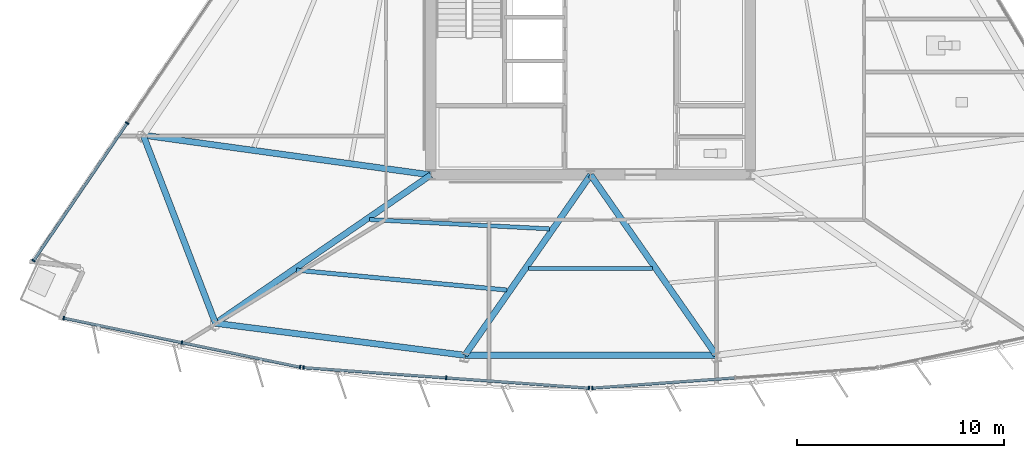
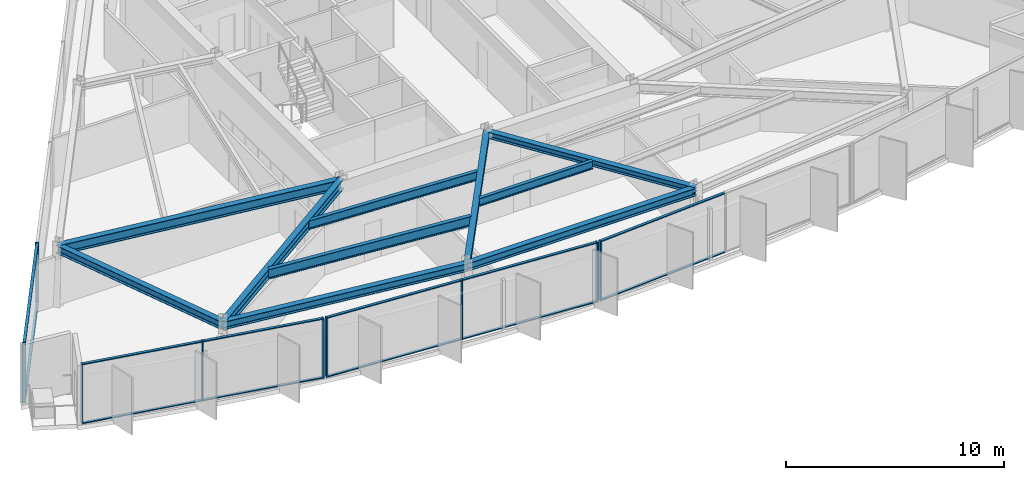
# One storey, part 2 of 15: 21 members, 10 beams, 4 elements without a shape of their own.
"""IFC4 building model written with IfcOpenShell, lengths in metres."""

from ifc_helpers import new_model, si_unit, direction, frame, origin, origin_2d, place, context, subcontext, project, spatial, rectangle, i_section, extrude, material, material_profile, profile_set, type_object, element, aggregate, save


model = new_model("IFC4")

# Units and contexts
model_context = context("Model", 3, precision=1e-05, world=origin(), true_north=direction((0.0, 1.0)))
body_context = subcontext(model_context, "Body", "Model", "MODEL_VIEW")
ifc_project = project(units=[si_unit("LENGTHUNIT", "METRE"), si_unit("AREAUNIT", "SQUARE_METRE"), si_unit("VOLUMEUNIT", "CUBIC_METRE"), si_unit("PLANEANGLEUNIT", "RADIAN"), si_unit("MASSUNIT", "GRAM", prefix="KILO")], contexts=[model_context])

# Site, building, storey
site_placement = place(None, origin())
site = spatial("IfcSite", under=ifc_project, at=site_placement, CompositionType="ELEMENT")
building_placement = place(site_placement, origin())
building = spatial("IfcBuilding", under=site, at=building_placement, Name="Savorim Split Tower", CompositionType="ELEMENT")
storey_placement = place(building_placement, frame((0.0, 0.0, 138.60009765625)))
storey = spatial("IfcBuildingStorey", under=building, at=storey_placement, Name="L36", CompositionType="ELEMENT", Elevation=138.60009765625)

# Beams
ifc_material_1 = material(Name="Steel S355", Category="steel")
ifc_material_profile_1 = material_profile(ifc_material_1, i_section(OverallWidth=0.18994140625, OverallDepth=0.449951171875, WebThickness=0.009521484375, FlangeThickness=0.0146484375, FilletRadius=0.02099609375, at=origin_2d()), Name="IPE 450")
ifc_profile_set_1 = profile_set([ifc_material_profile_1], Name="Steel S355")
beam_type_1 = type_object("IfcBeamType", Name="BM-JST-IPE450", PredefinedType="JOIST", material=ifc_profile_set_1)
beam_1_placement = place(storey_placement, frame((-2.991455078125, -13.92138671875, 3.125), z_axis=(1.0, 0.0, 0.0), x_axis=(0.0, 1.0, 0.0)))
element("IfcBeam", 1, at=beam_1_placement, inside=storey, type_object=beam_type_1, Name="L36 Secondary Floor Joist JS-03", PredefinedType="JOIST", context=body_context, shape_type="SweptSolid", body=[
    extrude(i_section(OverallWidth=0.18994140625, OverallDepth=0.449951171875, WebThickness=0.009521484375, FlangeThickness=0.0146484375, FilletRadius=0.02099609375, at=origin_2d()), origin(), (0.0, 0.0, 1.0), 5.98291015625),
])
ifc_material_profile_2 = material_profile(ifc_material_1, i_section(OverallWidth=0.199951171875, OverallDepth=0.5, WebThickness=0.01025390625, FlangeThickness=0.01611328125, FilletRadius=0.02099609375, at=origin_2d()), Name="IPE 500")
ifc_profile_set_2 = profile_set([ifc_material_profile_2], Name="Steel S355")
beam_type_2 = type_object("IfcBeamType", Name="BM-JST-IPE500", PredefinedType="JOIST", material=ifc_profile_set_2)
beam_2_placement = place(storey_placement, frame((-10.655029296875, -11.5537109375, 3.099853515625), z_axis=(0.998677028791, -0.051421709088, 0.0), x_axis=(0.051421709088, 0.998677028791, 0.0)))
element("IfcBeam", 2, at=beam_2_placement, inside=storey, type_object=beam_type_2, Name="L36 Secondary Floor Joist JS-02", PredefinedType="JOIST", context=body_context, shape_type="SweptSolid", body=[
    extrude(i_section(OverallWidth=0.199951171875, OverallDepth=0.5, WebThickness=0.01025390625, FlangeThickness=0.01611328125, FilletRadius=0.02099609375, at=origin_2d()), origin(), (0.0, 0.0, 1.0), 8.6884765625),
])
ifc_material_profile_3 = material_profile(ifc_material_1, i_section(OverallWidth=0.2099609375, OverallDepth=0.550048828125, WebThickness=0.010986328125, FlangeThickness=0.01708984375, FilletRadius=0.02392578125, at=origin_2d()), Name="IPE 550")
ifc_profile_set_3 = profile_set([ifc_material_profile_3], Name="Steel S355")
beam_type_3 = type_object("IfcBeamType", Name="BM-JST-IPE550", PredefinedType="JOIST", material=ifc_profile_set_3)
beam_3_placement = place(storey_placement, frame((-14.185791015625, -13.991943359375, 3.074951171875), z_axis=(0.995573288515, -0.093988441817, 0.0), x_axis=(0.093988441817, 0.995573288515, 0.0)))
element("IfcBeam", 3, at=beam_3_placement, inside=storey, type_object=beam_type_3, Name="L36 Secondary Floor Joist JS-01", PredefinedType="JOIST", context=body_context, shape_type="SweptSolid", body=[
    extrude(i_section(OverallWidth=0.2099609375, OverallDepth=0.550048828125, WebThickness=0.010986328125, FlangeThickness=0.01708984375, FilletRadius=0.02392578125, at=origin_2d()), origin(), (0.0, 0.0, 1.0), 10.19287109375),
])
ifc_material_profile_4 = material_profile(ifc_material_1, i_section(OverallWidth=0.300048828125, OverallDepth=0.360107421875, WebThickness=0.012451171875, FlangeThickness=0.0224609375, FilletRadius=0.027099609375, at=origin_2d()), Name="HEB 360")
ifc_profile_set_4 = profile_set([ifc_material_profile_4], Name="Steel S355")
beam_type_4 = type_object("IfcBeamType", Name="BM-PRI-HEB360", PredefinedType="BEAM", material=ifc_profile_set_4)
for number, where, z_axis, x_axis, name in (
    (4, (-6.060546875, -18.09521484375, 3.169921875), (0.571803936777, 0.82039030826, 0.0), (-0.82039030826, 0.571803936777, 0.0), "L36 Primary Floor Girder RG-02"),
    (5, (6.060546875, -18.09521484375, 3.169921875), (-0.571803936777, 0.82039030826, 0.0), (-0.82039030826, -0.571803936777, 0.0), "L36 Primary Floor Girder RG-03"),
):
    element("IfcBeam", number, at=place(storey_placement, frame(where, z_axis=z_axis, x_axis=x_axis)), inside=storey, type_object=beam_type_4, Name=name, PredefinedType="BEAM", context=body_context, shape_type="SweptSolid", body=[
        extrude(i_section(OverallWidth=0.300048828125, OverallDepth=0.360107421875, WebThickness=0.012451171875, FlangeThickness=0.0224609375, FilletRadius=0.027099609375, at=origin_2d()), origin(), (0.0, 0.0, 1.0), 10.598876953125),
    ])
ifc_material_profile_5 = material_profile(ifc_material_1, i_section(OverallWidth=0.300048828125, OverallDepth=0.550048828125, WebThickness=0.014892578125, FlangeThickness=0.029052734375, FilletRadius=0.027099609375, at=origin_2d()), Name="HEB 550")
ifc_profile_set_5 = profile_set([ifc_material_profile_5], Name="Steel S355")
beam_type_5 = type_object("IfcBeamType", Name="BM-PRI-HEB550", PredefinedType="BEAM", material=ifc_profile_set_5)
beam_4_placement = place(storey_placement, frame((-18.082763671875, -16.551513671875, 3.074951171875), z_axis=(0.823544389723, 0.567251829575, 0.0), x_axis=(-0.567251829575, 0.823544389723, 0.0)))
element("IfcBeam", 6, at=beam_4_placement, inside=storey, type_object=beam_type_5, Name="L36 Primary Floor Girder RG-01", PredefinedType="BEAM", context=body_context, shape_type="SweptSolid", body=[
    extrude(i_section(OverallWidth=0.300048828125, OverallDepth=0.550048828125, WebThickness=0.014892578125, FlangeThickness=0.029052734375, FilletRadius=0.027099609375, at=origin_2d()), origin(), (0.0, 0.0, 1.0), 12.607421875),
])
beam_5_placement = place(storey_placement, frame((-21.568115234375, -7.481689453125, 3.074951171875), z_axis=(0.990569210823, -0.137013278808, 0.0), x_axis=(0.137013278808, 0.990569210823, 0.0)))
element("IfcBeam", 7, at=beam_5_placement, inside=storey, type_object=beam_type_5, Name="L36 Primary Floor Girder RG-10", PredefinedType="BEAM", context=body_context, shape_type="SweptSolid", body=[
    extrude(i_section(OverallWidth=0.300048828125, OverallDepth=0.550048828125, WebThickness=0.014892578125, FlangeThickness=0.029052734375, FilletRadius=0.027099609375, at=origin_2d()), origin(), (0.0, 0.0, 1.0), 14.000244140625),
])
ifc_material_profile_6 = material_profile(ifc_material_1, i_section(OverallWidth=0.300048828125, OverallDepth=0.43994140625, WebThickness=0.011474609375, FlangeThickness=0.02099609375, FilletRadius=0.027099609375, at=origin_2d()), Name="HEA 450")
ifc_profile_set_6 = profile_set([ifc_material_profile_6], Name="Steel S355")
beam_type_6 = type_object("IfcBeamType", Name="BM-SPN-HEA450", PredefinedType="SPANDREL", material=ifc_profile_set_6)
beam_6_placement = place(storey_placement, frame((-18.082763671875, -16.551513671875, 3.1298828125), z_axis=(0.991856761228, -0.127358412388, 0.0), x_axis=(0.127358412388, 0.991856761228, 0.0)))
element("IfcBeam", 8, at=beam_6_placement, inside=storey, type_object=beam_type_6, Name="L36 Perimeter Spandrel Beam 1", PredefinedType="SPANDREL", context=body_context, shape_type="SweptSolid", body=[
    extrude(i_section(OverallWidth=0.300048828125, OverallDepth=0.43994140625, WebThickness=0.011474609375, FlangeThickness=0.02099609375, FilletRadius=0.027099609375, at=origin_2d()), origin(), (0.0, 0.0, 1.0), 12.120849609375),
])
beam_7_placement = place(storey_placement, frame((-6.060546875, -18.09521484375, 3.1298828125), z_axis=(1.0, 0.0, 0.0), x_axis=(0.0, 1.0, 0.0)))
element("IfcBeam", 9, at=beam_7_placement, inside=storey, type_object=beam_type_6, Name="L36 Perimeter Spandrel Beam 2", PredefinedType="SPANDREL", context=body_context, shape_type="SweptSolid", body=[
    extrude(i_section(OverallWidth=0.300048828125, OverallDepth=0.43994140625, WebThickness=0.011474609375, FlangeThickness=0.02099609375, FilletRadius=0.027099609375, at=origin_2d()), origin(), (0.0, 0.0, 1.0), 12.12109375),
])
beam_8_placement = place(storey_placement, frame((-21.568115234375, -7.481689453125, 3.1298828125), z_axis=(0.358706298692, -0.933450476072, 0.0), x_axis=(0.933450476072, 0.358706298692, 0.0)))
element("IfcBeam", 10, at=beam_8_placement, inside=storey, type_object=beam_type_6, Name="L36 Perimeter Spandrel Beam 10", PredefinedType="SPANDREL", context=body_context, shape_type="SweptSolid", body=[
    extrude(i_section(OverallWidth=0.300048828125, OverallDepth=0.43994140625, WebThickness=0.011474609375, FlangeThickness=0.02099609375, FilletRadius=0.027099609375, at=origin_2d()), origin(), (0.0, 0.0, 1.0), 9.716552734375),
])

# Curtain wall, members
ifc_material_2 = material(Name="Dark Ceramic-Fritted Insulated Glass", Category="glass")
curtain_wall_type = type_object("IfcCurtainWallType", Name="CW-TWR-FRIT-A", PredefinedType="NOTDEFINED", material=ifc_material_2)
curtain_wall_1_placement = place(storey_placement, origin())
curtain_wall_1 = element("IfcCurtainWall", 11, at=curtain_wall_1_placement, inside=storey, type_object=curtain_wall_type, Name="L36 Curtain Wall CW-L36-SF1", PredefinedType="NOTDEFINED")
ifc_material_3 = material(Name="Charcoal Anodised Aluminium", Category="aluminium")
ifc_material_profile_7 = material_profile(ifc_material_3, rectangle(XDim=0.179931640625, YDim=0.06494140625, at=origin_2d()), Name="ALU-M 180x65")
ifc_profile_set_7 = profile_set([ifc_material_profile_7], Name="Charcoal Anodised Aluminium")
member_type_1 = type_object("IfcMemberType", Name="CWM-180x65", PredefinedType="MULLION", material=ifc_profile_set_7)
member_1_placement = place(storey_placement, frame((-25.402099609375, -16.30029296875, 0.0), z_axis=(0.0, 0.0, 1.0), x_axis=(0.203209964912, 0.979135184824, 0.0)))
member_1 = element("IfcMember", 12, at=member_1_placement, type_object=member_type_1, Name="CW-02 mullion 1", PredefinedType="MULLION", context=body_context, shape_type="SweptSolid", body=[
    extrude(rectangle(XDim=0.179931640625, YDim=0.06494140625, at=origin_2d()), origin(), (0.0, 0.0, 1.0), 3.349853515625),
])
member_2_placement = place(storey_placement, frame((-19.70458984375, -17.482666015625, 0.0), z_axis=(0.0, 0.0, 1.0), x_axis=(0.203209964912, 0.979135184824, 0.0)))
member_2 = element("IfcMember", 13, at=member_2_placement, type_object=member_type_1, Name="CW-02 mullion 2", PredefinedType="MULLION", context=body_context, shape_type="SweptSolid", body=[
    extrude(rectangle(XDim=0.179931640625, YDim=0.06494140625, at=origin_2d()), origin(), (0.0, 0.0, 1.0), 3.349853515625),
])
member_3_placement = place(storey_placement, frame((-14.007080078125, -18.6650390625, 0.0), z_axis=(0.0, 0.0, 1.0), x_axis=(0.203209964912, 0.979135184824, 0.0)))
member_3 = element("IfcMember", 14, at=member_3_placement, type_object=member_type_1, Name="CW-02 mullion 3", PredefinedType="MULLION", context=body_context, shape_type="SweptSolid", body=[
    extrude(rectangle(XDim=0.179931640625, YDim=0.06494140625, at=origin_2d()), origin(), (0.0, 0.0, 1.0), 3.349853515625),
])

curtain_wall_2_placement = place(storey_placement, origin())
curtain_wall_2 = element("IfcCurtainWall", 15, at=curtain_wall_2_placement, inside=storey, type_object=curtain_wall_type, Name="L36 Curtain Wall CW-L36-SF2", PredefinedType="NOTDEFINED")
member_4_placement = place(storey_placement, frame((-13.840087890625, -18.688232421875, 0.0), z_axis=(0.0, 0.0, 1.0), x_axis=(0.071560918492, 0.997436231017, 0.0)))
member_4 = element("IfcMember", 16, at=member_4_placement, type_object=member_type_1, Name="CW-02 mullion 1", PredefinedType="MULLION", context=body_context, shape_type="SweptSolid", body=[
    extrude(rectangle(XDim=0.179931640625, YDim=0.06494140625, at=origin_2d()), origin(), (0.0, 0.0, 1.0), 3.349853515625),
])
member_5_placement = place(storey_placement, frame((-6.9619140625, -19.181884765625, 0.0), z_axis=(0.0, 0.0, 1.0), x_axis=(0.071560918492, 0.997436231017, 0.0)))
member_5 = element("IfcMember", 17, at=member_5_placement, type_object=member_type_1, Name="CW-02 mullion 2", PredefinedType="MULLION", context=body_context, shape_type="SweptSolid", body=[
    extrude(rectangle(XDim=0.179931640625, YDim=0.06494140625, at=origin_2d()), origin(), (0.0, 0.0, 1.0), 3.349853515625),
])
member_6_placement = place(storey_placement, frame((-0.083740234375, -19.67529296875, 0.0), z_axis=(0.0, 0.0, 1.0), x_axis=(0.071560918492, 0.997436231017, 0.0)))
member_6 = element("IfcMember", 18, at=member_6_placement, type_object=member_type_1, Name="CW-02 mullion 3", PredefinedType="MULLION", context=body_context, shape_type="SweptSolid", body=[
    extrude(rectangle(XDim=0.179931640625, YDim=0.06494140625, at=origin_2d()), origin(), (0.0, 0.0, 1.0), 3.349853515625),
])

# Curtain wall, member
curtain_wall_3_placement = place(storey_placement, origin())
curtain_wall_3 = element("IfcCurtainWall", 19, at=curtain_wall_3_placement, inside=storey, type_object=curtain_wall_type, Name="L36 Curtain Wall CW-L36-SF3", PredefinedType="NOTDEFINED")
member_7_placement = place(storey_placement, frame((0.083740234375, -19.67529296875, 0.0), z_axis=(0.0, 0.0, 1.0), x_axis=(-0.071560918492, 0.997436231017, 0.0)))
member_7 = element("IfcMember", 20, at=member_7_placement, type_object=member_type_1, Name="CW-02 mullion 1", PredefinedType="MULLION", context=body_context, shape_type="SweptSolid", body=[
    extrude(rectangle(XDim=0.179931640625, YDim=0.06494140625, at=origin_2d()), origin(), (0.0, 0.0, 1.0), 3.349853515625),
])

# Curtain wall, members
curtain_wall_4_placement = place(storey_placement, origin())
curtain_wall_4 = element("IfcCurtainWall", 21, at=curtain_wall_4_placement, inside=storey, type_object=curtain_wall_type, Name="L36 Curtain Wall CW-L36-WEST", PredefinedType="NOTDEFINED")
member_8_placement = place(storey_placement, frame((-22.343505859375, -6.900634765625, 0.0), z_axis=(0.0, 0.0, 1.0), x_axis=(0.826820104662, -0.562466456356, 0.0)))
member_8 = element("IfcMember", 22, at=member_8_placement, type_object=member_type_1, Name="CW-02 mullion 4", PredefinedType="MULLION", context=body_context, shape_type="SweptSolid", body=[
    extrude(rectangle(XDim=0.179931640625, YDim=0.06494140625, at=origin_2d()), origin(), (0.0, 0.0, 1.0), 3.349853515625),
])
member_9_placement = place(storey_placement, frame((-26.856201171875, -13.534423828125, 0.0), z_axis=(0.0, 0.0, 1.0), x_axis=(0.826820104662, -0.562466456356, 0.0)))
member_9 = element("IfcMember", 23, at=member_9_placement, type_object=member_type_1, Name="CW-02 mullion 5", PredefinedType="MULLION", context=body_context, shape_type="SweptSolid", body=[
    extrude(rectangle(XDim=0.179931640625, YDim=0.06494140625, at=origin_2d()), origin(), (0.0, 0.0, 1.0), 3.349853515625),
])

# Member
ifc_material_profile_8 = material_profile(ifc_material_3, rectangle(XDim=0.139892578125, YDim=0.054931640625, at=origin_2d()), Name="ALU-T 140x55")
ifc_profile_set_8 = profile_set([ifc_material_profile_8], Name="Charcoal Anodised Aluminium")
member_type_2 = type_object("IfcMemberType", Name="CWT-140x55", PredefinedType="USERDEFINED", material=ifc_profile_set_8)
member_10_placement = place(storey_placement, frame((-25.3701171875, -16.306884765625, 0.02734375), z_axis=(0.979136864004, -0.203201873883, 0.0), x_axis=(0.203201873883, 0.979136864004, 0.0)))
member_10 = element("IfcMember", 24, at=member_10_placement, type_object=member_type_2, Name="CW-02 transom 1.1", ObjectType="TRANSOM", PredefinedType="USERDEFINED", context=body_context, shape_type="SweptSolid", body=[
    extrude(rectangle(XDim=0.139892578125, YDim=0.054931640625, at=origin_2d()), origin(), (0.0, 0.0, 1.0), 5.75390625),
])

member_11_placement = place(storey_placement, frame((-25.3701171875, -16.306884765625, 3.322509765625), z_axis=(0.979136864004, -0.203201873883, 0.0), x_axis=(0.203201873883, 0.979136864004, 0.0)))
member_11 = element("IfcMember", 25, at=member_11_placement, type_object=member_type_2, Name="CW-02 transom 1.2", ObjectType="TRANSOM", PredefinedType="USERDEFINED", context=body_context, shape_type="SweptSolid", body=[
    extrude(rectangle(XDim=0.139892578125, YDim=0.054931640625, at=origin_2d()), origin(), (0.0, 0.0, 1.0), 5.75390625),
])

member_12_placement = place(storey_placement, frame((-19.672607421875, -17.4892578125, 0.02734375), z_axis=(0.979135111877, -0.203210316394, 0.0), x_axis=(0.203210316394, 0.979135111877, 0.0)))
member_12 = element("IfcMember", 26, at=member_12_placement, type_object=member_type_2, Name="CW-02 transom 2.1", ObjectType="TRANSOM", PredefinedType="USERDEFINED", context=body_context, shape_type="SweptSolid", body=[
    extrude(rectangle(XDim=0.139892578125, YDim=0.054931640625, at=origin_2d()), origin(), (0.0, 0.0, 1.0), 5.753662109375),
])

member_13_placement = place(storey_placement, frame((-19.672607421875, -17.4892578125, 3.322509765625), z_axis=(0.979135111877, -0.203210316394, 0.0), x_axis=(0.203210316394, 0.979135111877, 0.0)))
member_13 = element("IfcMember", 27, at=member_13_placement, type_object=member_type_2, Name="CW-02 transom 2.2", ObjectType="TRANSOM", PredefinedType="USERDEFINED", context=body_context, shape_type="SweptSolid", body=[
    extrude(rectangle(XDim=0.139892578125, YDim=0.054931640625, at=origin_2d()), origin(), (0.0, 0.0, 1.0), 5.753662109375),
])

aggregate(curtain_wall_1, [member_1, member_2, member_3, member_10, member_11, member_12, member_13])

member_14_placement = place(storey_placement, frame((-13.8076171875, -18.690673828125, 0.02734375), z_axis=(0.99743669961, -0.071554386807, 0.0), x_axis=(0.071554386807, 0.99743669961, 0.0)))
member_14 = element("IfcMember", 28, at=member_14_placement, type_object=member_type_2, Name="CW-02 transom 1.1", ObjectType="TRANSOM", PredefinedType="USERDEFINED", context=body_context, shape_type="SweptSolid", body=[
    extrude(rectangle(XDim=0.139892578125, YDim=0.054931640625, at=origin_2d()), origin(), (0.0, 0.0, 1.0), 6.830810546875),
])

member_15_placement = place(storey_placement, frame((-13.8076171875, -18.690673828125, 3.322509765625), z_axis=(0.99743669961, -0.071554386807, 0.0), x_axis=(0.071554386807, 0.99743669961, 0.0)))
member_15 = element("IfcMember", 29, at=member_15_placement, type_object=member_type_2, Name="CW-02 transom 1.2", ObjectType="TRANSOM", PredefinedType="USERDEFINED", context=body_context, shape_type="SweptSolid", body=[
    extrude(rectangle(XDim=0.139892578125, YDim=0.054931640625, at=origin_2d()), origin(), (0.0, 0.0, 1.0), 6.830810546875),
])

member_16_placement = place(storey_placement, frame((-6.929443359375, -19.18408203125, 0.02734375), z_axis=(0.99743669961, -0.071554386807, 0.0), x_axis=(0.071554386807, 0.99743669961, 0.0)))
member_16 = element("IfcMember", 30, at=member_16_placement, type_object=member_type_2, Name="CW-02 transom 2.1", ObjectType="TRANSOM", PredefinedType="USERDEFINED", context=body_context, shape_type="SweptSolid", body=[
    extrude(rectangle(XDim=0.139892578125, YDim=0.054931640625, at=origin_2d()), origin(), (0.0, 0.0, 1.0), 6.830810546875),
])

member_17_placement = place(storey_placement, frame((-6.929443359375, -19.18408203125, 3.322509765625), z_axis=(0.99743669961, -0.071554386807, 0.0), x_axis=(0.071554386807, 0.99743669961, 0.0)))
member_17 = element("IfcMember", 31, at=member_17_placement, type_object=member_type_2, Name="CW-02 transom 2.2", ObjectType="TRANSOM", PredefinedType="USERDEFINED", context=body_context, shape_type="SweptSolid", body=[
    extrude(rectangle(XDim=0.139892578125, YDim=0.054931640625, at=origin_2d()), origin(), (0.0, 0.0, 1.0), 6.830810546875),
])

aggregate(curtain_wall_2, [member_4, member_5, member_6, member_14, member_15, member_16, member_17])

member_18_placement = place(storey_placement, frame((0.1162109375, -19.6728515625, 0.02734375), z_axis=(0.99743669961, 0.071554386807, 0.0), x_axis=(-0.071554386807, 0.99743669961, 0.0)))
member_18 = element("IfcMember", 32, at=member_18_placement, type_object=member_type_2, Name="CW-02 transom 1.1", ObjectType="TRANSOM", PredefinedType="USERDEFINED", context=body_context, shape_type="SweptSolid", body=[
    extrude(rectangle(XDim=0.139892578125, YDim=0.054931640625, at=origin_2d()), origin(), (0.0, 0.0, 1.0), 6.830810546875),
])

member_19_placement = place(storey_placement, frame((0.1162109375, -19.6728515625, 3.322509765625), z_axis=(0.99743669961, 0.071554386807, 0.0), x_axis=(-0.071554386807, 0.99743669961, 0.0)))
member_19 = element("IfcMember", 33, at=member_19_placement, type_object=member_type_2, Name="CW-02 transom 1.2", ObjectType="TRANSOM", PredefinedType="USERDEFINED", context=body_context, shape_type="SweptSolid", body=[
    extrude(rectangle(XDim=0.139892578125, YDim=0.054931640625, at=origin_2d()), origin(), (0.0, 0.0, 1.0), 6.830810546875),
])

aggregate(curtain_wall_3, [member_7, member_18, member_19])

member_20_placement = place(storey_placement, frame((-22.36181640625, -6.927490234375, 0.02734375), z_axis=(-0.562449306034, -0.826831771367, 0.0), x_axis=(0.826831771367, -0.562449306034, 0.0)))
member_20 = element("IfcMember", 34, at=member_20_placement, type_object=member_type_2, Name="CW-02 transom 4.1", ObjectType="TRANSOM", PredefinedType="USERDEFINED", context=body_context, shape_type="SweptSolid", body=[
    extrude(rectangle(XDim=0.139892578125, YDim=0.054931640625, at=origin_2d()), origin(), (0.0, 0.0, 1.0), 7.958251953125),
])

member_21_placement = place(storey_placement, frame((-22.36181640625, -6.927490234375, 3.322509765625), z_axis=(-0.562449306034, -0.826831771367, 0.0), x_axis=(0.826831771367, -0.562449306034, 0.0)))
member_21 = element("IfcMember", 35, at=member_21_placement, type_object=member_type_2, Name="CW-02 transom 4.2", ObjectType="TRANSOM", PredefinedType="USERDEFINED", context=body_context, shape_type="SweptSolid", body=[
    extrude(rectangle(XDim=0.139892578125, YDim=0.054931640625, at=origin_2d()), origin(), (0.0, 0.0, 1.0), 7.958251953125),
])

aggregate(curtain_wall_4, [member_8, member_9, member_20, member_21])

save(model, "model.ifc")
